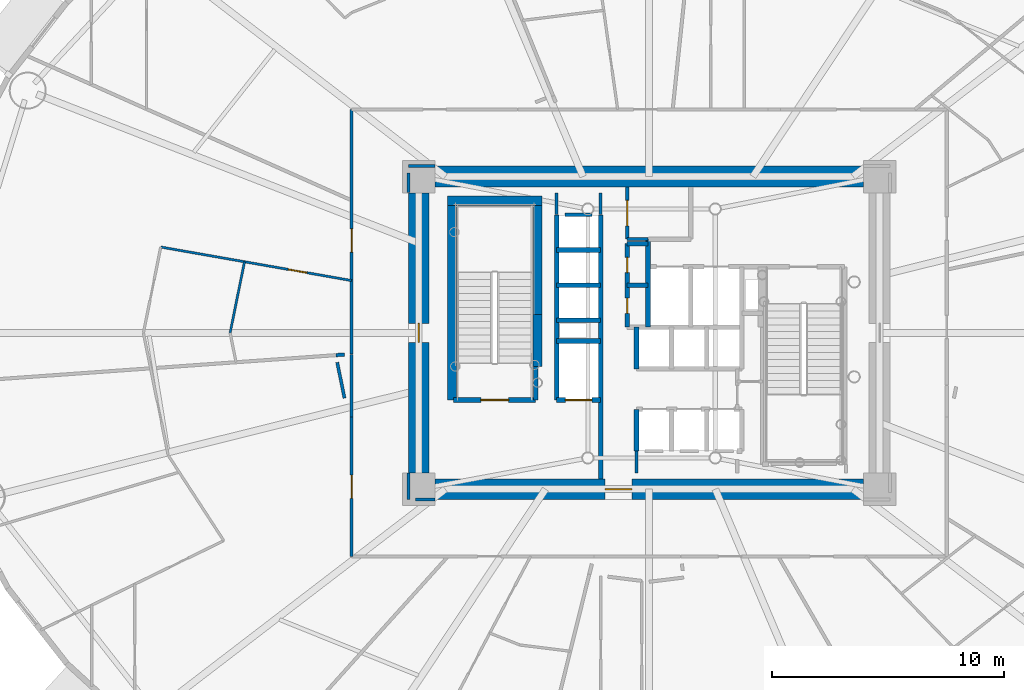
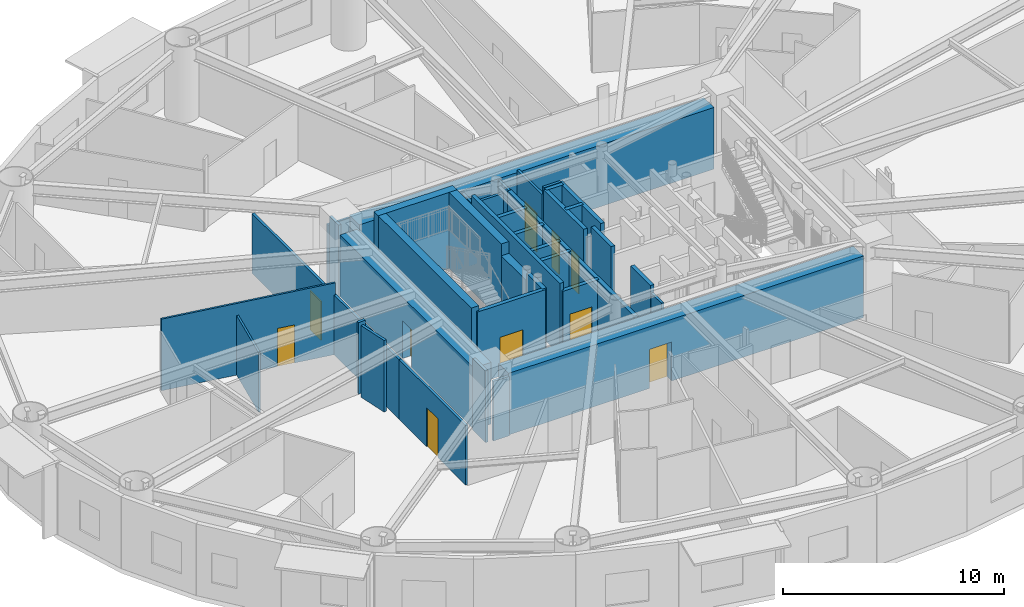
# One storey, part 8 of 20: 39 walls, 10 doors, 10 openings.
"""IFC4 building model written with IfcOpenShell, lengths in metres."""

from ifc_helpers import new_model, si_unit, direction, frame, frame_2d, origin, origin_2d, place, context, subcontext, project, spatial, rectangle, extrude, source, transform, mapped, material, layer, layer_set, type_object, element, fill, save


model = new_model("IFC4")

# Units and contexts
model_context = context("Model", 3, precision=1e-05, world=origin(), true_north=direction((0.0, 1.0)))
body_context = subcontext(model_context, "Body", "Model", "MODEL_VIEW")
ifc_project = project(units=[si_unit("LENGTHUNIT", "METRE"), si_unit("AREAUNIT", "SQUARE_METRE"), si_unit("VOLUMEUNIT", "CUBIC_METRE"), si_unit("PLANEANGLEUNIT", "RADIAN"), si_unit("MASSUNIT", "GRAM", prefix="KILO")], contexts=[model_context])

# Site, building, storey
site_placement = place(None, origin())
site = spatial("IfcSite", under=ifc_project, at=site_placement, CompositionType="ELEMENT")
building_placement = place(site_placement, origin())
building = spatial("IfcBuilding", under=site, at=building_placement, Name="Linh Dai School and Residence Tower", CompositionType="ELEMENT")
storey_placement = place(building_placement, frame((0.0, 0.0, 66.0)))
storey = spatial("IfcBuildingStorey", under=building, at=storey_placement, Name="L15", CompositionType="ELEMENT", Elevation=66.0)

# Wall, opening, door
ifc_material_1 = material(Name="Autoclaved Aerated Concrete Blockwork", Category="masonry")
ifc_layer_1 = layer(ifc_material_1, 0.135009765625)
ifc_layer_set_1 = layer_set([ifc_layer_1], Name="Autoclaved Aerated Concrete Blockwork")
wall_type_1 = type_object("IfcWallType", Name="IW-CORR-135-EI90", PredefinedType="PARTITIONING", material=ifc_layer_set_1)
wall_1_placement = place(storey_placement, frame((23.14990234375, 17.35009765625, 0.0), z_axis=(0.0, 0.0, 1.0), x_axis=(0.0, 1.0, 0.0)))
wall_1 = element("IfcWall", 1, at=wall_1_placement, inside=storey, type_object=wall_type_1, Name="L15 Interior Partition Wall 019", PredefinedType="PARTITIONING", context=body_context, shape_type="SweptSolid", body=[
    extrude(rectangle(XDim=6.011474609375, YDim=0.135009765625, at=frame_2d((3.005859375, 0.0))), origin(), (0.0, 0.0, 1.0), 3.284912109375),
])
opening_1_placement = place(wall_1_placement, frame((2.505859375, 0.0, 0.0)))
opening_1 = element("IfcOpeningElement", 2, at=opening_1_placement, cuts=wall_1, Name="Opening D03", PredefinedType="OPENING", context=body_context, shape_type="SweptSolid", body=[
    extrude(rectangle(XDim=1.0, YDim=2.14990234375, at=origin_2d()), frame((0.5, 0.07763671875, 1.074951171875), z_axis=(0.0, -1.0, 0.0), x_axis=(1.0, 0.0, 0.0)), (0.0, 0.0, 1.0), 0.155029296875),
])
ifc_material_2 = material(Name="Fire-Rated Solid Timber Entrance Door", Category="wood")
door_type_1 = type_object("IfcDoorType", Name="DR-FLAT-1000x2150-FD60S", OperationType="NOTDEFINED", PredefinedType="DOOR", material=ifc_material_2)
shared_shape_1 = source(origin(), body_context, "Body", "SweptSolid", [
    extrude(rectangle(XDim=1.0, YDim=2.14990234375, at=origin_2d()), frame((0.5, 0.02490234375, 1.074951171875), z_axis=(0.0, -1.0, 0.0), x_axis=(1.0, 0.0, 0.0)), (0.0, 0.0, 1.0), 0.050048828125),
])
door_1_placement = place(opening_1_placement, origin())
door_1 = element("IfcDoor", 3, at=door_1_placement, inside=storey, type_object=door_type_1, Name="L15 U1506 Apartment Entrance Door", OperationType="SINGLE_SWING_RIGHT", OverallHeight=2.14990234375, OverallWidth=1.0, PredefinedType="DOOR", context=body_context, shape_type="MappedRepresentation", body=[
    mapped(shared_shape_1, transform((0.0, 0.0, 0.0), x_axis=(1.0, 0.0, 0.0), y_axis=(0.0, 1.0, 0.0), z_axis=(0.0, 0.0, 1.0), scale=1.0)),
])
fill(opening_1, door_1)

wall_2_placement = place(storey_placement, frame((23.14990234375, 26.086181640625, 0.0), z_axis=(0.0, 0.0, 1.0), x_axis=(0.0, 1.0, 0.0)))
wall_2 = element("IfcWall", 4, at=wall_2_placement, inside=storey, type_object=wall_type_1, Name="L15 Interior Partition Wall 021", PredefinedType="PARTITIONING", context=body_context, shape_type="SweptSolid", body=[
    extrude(rectangle(XDim=10.563720703125, YDim=0.135009765625, at=frame_2d((5.28173828125, 0.0))), origin(), (0.0, 0.0, 1.0), 3.284912109375),
])
opening_2_placement = place(wall_2_placement, frame((4.4033203125, 0.0, 0.0)))
opening_2 = element("IfcOpeningElement", 5, at=opening_2_placement, cuts=wall_2, Name="Opening D03", PredefinedType="OPENING", context=body_context, shape_type="SweptSolid", body=[
    extrude(rectangle(XDim=1.0, YDim=2.14990234375, at=origin_2d()), frame((0.5, 0.07763671875, 1.074951171875), z_axis=(0.0, -1.0, 0.0), x_axis=(1.0, 0.0, 0.0)), (0.0, 0.0, 1.0), 0.155029296875),
])
door_2_placement = place(opening_2_placement, origin())
door_2 = element("IfcDoor", 6, at=door_2_placement, inside=storey, type_object=door_type_1, Name="L15 U1505 Apartment Entrance Door", OperationType="SINGLE_SWING_LEFT", OverallHeight=2.14990234375, OverallWidth=1.0, PredefinedType="DOOR", context=body_context, shape_type="MappedRepresentation", body=[
    mapped(shared_shape_1, transform((0.0, 0.0, 0.0), x_axis=(1.0, 0.0, 0.0), y_axis=(0.0, 1.0, 0.0), z_axis=(0.0, 0.0, 1.0), scale=1.0)),
])
fill(opening_2, door_2)

wall_3_placement = place(storey_placement, frame((35.050048828125, 31.050048828125, 0.0), z_axis=(0.0, 0.0, 1.0), x_axis=(0.0, 1.0, 0.0)))
wall_3 = element("IfcWall", 7, at=wall_3_placement, inside=storey, type_object=wall_type_1, Name="L15 Interior Partition Wall 050", PredefinedType="PARTITIONING", context=body_context, shape_type="SweptSolid", body=[
    extrude(rectangle(XDim=2.25, YDim=0.135009765625, at=frame_2d((1.125, 0.0))), origin(), (0.0, 0.0, 1.0), 3.534912109375),
])
opening_3_placement = place(wall_3_placement, frame((0.574951171875, 0.0, 0.0)))
opening_3 = element("IfcOpeningElement", 8, at=opening_3_placement, cuts=wall_3, Name="Opening D07", PredefinedType="OPENING", context=body_context, shape_type="SweptSolid", body=[
    extrude(rectangle(XDim=1.10009765625, YDim=2.14990234375, at=origin_2d()), frame((0.550048828125, 0.07763671875, 1.074951171875), z_axis=(0.0, -1.0, 0.0), x_axis=(1.0, 0.0, 0.0)), (0.0, 0.0, 1.0), 0.155029296875),
])
ifc_material_3 = material(Name="Fire-Rated Louvred Steel Plant Door", Category="steel")
door_type_2 = type_object("IfcDoorType", Name="DR-PLT-1100x2150-FD60S", OperationType="NOTDEFINED", PredefinedType="DOOR", material=ifc_material_3)
shared_shape_2 = source(origin(), body_context, "Body", "SweptSolid", [
    extrude(rectangle(XDim=1.10009765625, YDim=2.14990234375, at=origin_2d()), frame((0.550048828125, 0.02490234375, 1.074951171875), z_axis=(0.0, -1.0, 0.0), x_axis=(1.0, 0.0, 0.0)), (0.0, 0.0, 1.0), 0.050048828125),
])
door_3_placement = place(opening_3_placement, origin())
door_3 = element("IfcDoor", 9, at=door_3_placement, inside=storey, type_object=door_type_2, Name="L15 North Telecom Switchroom Door", OperationType="SINGLE_SWING_RIGHT", OverallHeight=2.14990234375, OverallWidth=1.10009765625, PredefinedType="DOOR", context=body_context, shape_type="MappedRepresentation", body=[
    mapped(shared_shape_2, transform((0.0, 0.0, 0.0), x_axis=(1.0, 0.0, 0.0), y_axis=(0.0, 1.0, 0.0), z_axis=(0.0, 0.0, 1.0), scale=1.0)),
])
fill(opening_3, door_3)

# Walls
wall_4_placement = place(storey_placement, frame((35.050048828125, 31.050048828125, 0.0), z_axis=(0.0, 0.0, 1.0), x_axis=(1.0, 0.0, 0.0)))
element("IfcWall", 10, at=wall_4_placement, inside=storey, type_object=wall_type_1, Name="L15 Interior Partition Wall 051", PredefinedType="PARTITIONING", context=body_context, shape_type="SweptSolid", body=[
    extrude(rectangle(XDim=0.89990234375, YDim=0.135009765625, at=frame_2d((0.449951171875, 0.0))), origin(), (0.0, 0.0, 1.0), 3.949951171875),
])
wall_5_placement = place(storey_placement, frame((32.360107421875, 32.10009765625, 0.0), z_axis=(0.0, 0.0, 1.0), x_axis=(1.0, 0.0, 0.0)))
element("IfcWall", 11, at=wall_5_placement, inside=storey, type_object=wall_type_1, Name="L15 Interior Partition Wall 110", PredefinedType="PARTITIONING", context=body_context, shape_type="SweptSolid", body=[
    extrude(rectangle(XDim=1.179931640625, YDim=0.135009765625, at=frame_2d((0.58984375, 0.0))), origin(), (0.0, 0.0, 1.0), 3.534912109375),
])
wall_6_placement = place(storey_placement, frame((32.0, 33.0400390625, 0.0), z_axis=(0.0, 0.0, 1.0), x_axis=(0.0, -1.0, 0.0)))
element("IfcWall", 12, at=wall_6_placement, inside=storey, type_object=wall_type_1, Name="L15 Interior Partition Wall 112", PredefinedType="PARTITIONING", context=body_context, shape_type="SweptSolid", body=[
    extrude(rectangle(XDim=0.929931640625, YDim=0.135009765625, at=frame_2d((0.46484375, 0.0))), origin(), (0.0, 0.0, 1.0), 3.485107421875),
])
for number, where, z_axis, x_axis, name in (
    (13, (35.449951171875, 21.889892578125, 0.0), (0.0, 0.0, 1.0), (0.0, -1.0, 0.0), "L15 Interior Partition Wall 114"),
    (14, (33.89990234375, 32.110107421875, 0.0), (0.0, 0.0, 1.0), (0.0, 1.0, 0.0), "L15 Interior Partition Wall 115"),
):
    element("IfcWall", number, at=place(storey_placement, frame(where, z_axis=z_axis, x_axis=x_axis)), inside=storey, type_object=wall_type_1, Name=name, PredefinedType="PARTITIONING", context=body_context, shape_type="SweptSolid", body=[
        extrude(rectangle(XDim=0.929931640625, YDim=0.135009765625, at=frame_2d((0.46484375, 0.0))), origin(), (0.0, 0.0, 1.0), 3.534912109375),
    ])
wall_7_placement = place(storey_placement, frame((23.14990234375, 23.37158203125, 0.0), z_axis=(0.0, 0.0, 1.0), x_axis=(0.0, 1.0, 0.0)))
element("IfcWall", 15, at=wall_7_placement, inside=storey, type_object=wall_type_1, Name="L15 Interior Partition Wall 120", PredefinedType="PARTITIONING", context=body_context, shape_type="SweptSolid", body=[
    extrude(rectangle(XDim=2.70458984375, YDim=0.135009765625, at=frame_2d((1.352294921875, 0.0))), origin(), (0.0, 0.0, 1.0), 3.284912109375),
])
wall_8_placement = place(storey_placement, frame((26.739990234375, 34.199951171875, 0.0), z_axis=(0.0, 0.0, 1.0), x_axis=(-1.0, 0.0, 0.0)))
element("IfcWall", 16, at=wall_8_placement, inside=storey, type_object=wall_type_1, Name="L15 Interior Partition Wall 122", PredefinedType="PARTITIONING", context=body_context, shape_type="SweptSolid", body=[
    extrude(rectangle(XDim=1.139892578125, YDim=0.135009765625, at=frame_2d((0.56982421875, 0.0))), origin(), (0.0, 0.0, 1.0), 3.284912109375),
])
wall_9_placement = place(storey_placement, frame((25.60009765625, 33.892578125, 0.0), z_axis=(0.0, 0.0, 1.0), x_axis=(0.0, -1.0, 0.0)))
element("IfcWall", 17, at=wall_9_placement, inside=storey, type_object=wall_type_1, Name="L15 Interior Partition Wall 123", PredefinedType="PARTITIONING", context=body_context, shape_type="SweptSolid", body=[
    extrude(rectangle(XDim=0.83251953125, YDim=0.135009765625, at=frame_2d((0.416259765625, 0.0))), origin(), (0.0, 0.0, 1.0), 3.949951171875),
])
wall_10_placement = place(storey_placement, frame((25.60009765625, 20.93994140625, 0.0), z_axis=(0.0, 0.0, 1.0), x_axis=(0.0, -1.0, 0.0)))
element("IfcWall", 18, at=wall_10_placement, inside=storey, type_object=wall_type_1, Name="L15 Interior Partition Wall 124", PredefinedType="PARTITIONING", context=body_context, shape_type="SweptSolid", body=[
    extrude(rectangle(XDim=1.139892578125, YDim=0.135009765625, at=frame_2d((0.56982421875, 0.0))), origin(), (0.0, 0.0, 1.0), 3.949951171875),
])
wall_11_placement = place(storey_placement, frame((25.907470703125, 19.800048828125, 0.0), z_axis=(0.0, 0.0, 1.0), x_axis=(1.0, 0.0, 0.0)))
element("IfcWall", 19, at=wall_11_placement, inside=storey, type_object=wall_type_1, Name="L15 Interior Partition Wall 125", PredefinedType="PARTITIONING", context=body_context, shape_type="SweptSolid", body=[
    extrude(rectangle(XDim=0.83251953125, YDim=0.135009765625, at=frame_2d((0.416259765625, 0.0))), origin(), (0.0, 0.0, 1.0), 3.284912109375),
])
wall_12_placement = place(storey_placement, frame((22.529541015625, 25.726318359375, 0.0), z_axis=(0.0, 0.0, 1.0), x_axis=(0.198347121698, -0.980131837721, 0.0)))
element("IfcWall", 20, at=wall_12_placement, inside=storey, type_object=wall_type_1, Name="L15 Interior Partition Wall 132", PredefinedType="PARTITIONING", context=body_context, shape_type="SweptSolid", body=[
    extrude(rectangle(XDim=1.577880859375, YDim=0.135009765625, at=frame_2d((0.7890625, 0.0))), origin(), (0.0, 0.0, 1.0), 3.949951171875),
])
ifc_layer_2 = layer(ifc_material_1, 0.14990234375)
ifc_layer_set_2 = layer_set([ifc_layer_2], Name="Autoclaved Aerated Concrete Blockwork")
wall_type_2 = type_object("IfcWallType", Name="IW-SCH-150-EI60", PredefinedType="PARTITIONING", material=ifc_layer_set_2)
wall_13_placement = place(storey_placement, frame((22.842529296875, 26.064208984375, 0.0), z_axis=(0.0, 0.0, 1.0), x_axis=(-0.997509116352, -0.070537669335, 0.0)))
element("IfcWall", 21, at=wall_13_placement, inside=storey, type_object=wall_type_2, Name="L15 Interior Partition Wall 131", PredefinedType="PARTITIONING", context=body_context, shape_type="SweptSolid", body=[
    extrude(rectangle(XDim=0.366943359375, YDim=0.14990234375, at=frame_2d((0.18359375, 0.0))), origin(), (0.0, 0.0, 1.0), 3.949951171875),
])

# Wall, opening, door
ifc_material_4 = material(Name="Concrete B45 (C35/45)", Category="concrete")
ifc_layer_3 = layer(ifc_material_4, 0.199951171875)
ifc_layer_set_3 = layer_set([ifc_layer_3], Name="Concrete B45 (C35/45)")
wall_type_3 = type_object("IfcWallType", Name="IW-SHAFT-200-EI120", PredefinedType="PARTITIONING", material=ifc_layer_set_3)
wall_14_placement = place(storey_placement, frame((27.56005859375, 24.10009765625, 0.0), z_axis=(0.0, 0.0, 1.0), x_axis=(1.0, 0.0, 0.0)))
wall_14 = element("IfcWall", 22, at=wall_14_placement, inside=storey, type_object=wall_type_3, Name="L15 Interior Partition Wall 025", PredefinedType="PARTITIONING", context=body_context, shape_type="SweptSolid", body=[
    extrude(rectangle(XDim=3.5400390625, YDim=0.199951171875, at=frame_2d((1.77001953125, 0.0))), origin(), (0.0, 0.0, 1.0), 3.949951171875),
])
opening_4_placement = place(wall_14_placement, frame((1.169921875, 0.0, 0.0)))
opening_4 = element("IfcOpeningElement", 23, at=opening_4_placement, cuts=wall_14, Name="Opening D01", PredefinedType="OPENING", context=body_context, shape_type="SweptSolid", body=[
    extrude(rectangle(XDim=1.199951171875, YDim=2.14990234375, at=origin_2d()), frame((0.60009765625, 0.10986328125, 1.074951171875), z_axis=(0.0, -1.0, 0.0), x_axis=(1.0, 0.0, 0.0)), (0.0, 0.0, 1.0), 0.219970703125),
])
ifc_material_5 = material(Name="Fire-Rated Steel Door Leaf", Category="steel")
door_type_3 = type_object("IfcDoorType", Name="DR-STAIR-1200x2150-FD90S", OperationType="NOTDEFINED", PredefinedType="DOOR", material=ifc_material_5)
shared_shape_3 = source(origin(), body_context, "Body", "SweptSolid", [
    extrude(rectangle(XDim=1.199951171875, YDim=2.14990234375, at=origin_2d()), frame((0.60009765625, 0.02490234375, 1.074951171875), z_axis=(0.0, -1.0, 0.0), x_axis=(1.0, 0.0, 0.0)), (0.0, 0.0, 1.0), 0.050048828125),
])
door_4_placement = place(opening_4_placement, origin())
door_4 = element("IfcDoor", 24, at=door_4_placement, inside=storey, type_object=door_type_3, Name="L15 Core Smokeproof Exit Stair ST1 Door", OperationType="SINGLE_SWING_LEFT", OverallHeight=2.14990234375, OverallWidth=1.199951171875, PredefinedType="DOOR", context=body_context, shape_type="MappedRepresentation", body=[
    mapped(shared_shape_3, transform((0.0, 0.0, 0.0), x_axis=(1.0, 0.0, 0.0), y_axis=(0.0, 1.0, 0.0), z_axis=(0.0, 0.0, 1.0), scale=1.0)),
])
fill(opening_4, door_4)

# Walls
wall_15_placement = place(storey_placement, frame((31.10009765625, 24.10009765625, 0.0), z_axis=(0.0, 0.0, 1.0), x_axis=(0.0, 1.0, 0.0)))
element("IfcWall", 25, at=wall_15_placement, inside=storey, type_object=wall_type_3, Name="L15 Interior Partition Wall 035", PredefinedType="PARTITIONING", context=body_context, shape_type="SweptSolid", body=[
    extrude(rectangle(XDim=1.43994140625, YDim=0.199951171875, at=frame_2d((0.719970703125, 0.0))), origin(), (0.0, 0.0, 1.0), 3.949951171875),
])
wall_16_placement = place(storey_placement, frame((32.0, 24.10009765625, 0.0), z_axis=(0.0, 0.0, 1.0), x_axis=(0.0, 1.0, 0.0)))
element("IfcWall", 26, at=wall_16_placement, inside=storey, type_object=wall_type_3, Name="L15 Interior Partition Wall 036", PredefinedType="PARTITIONING", context=body_context, shape_type="SweptSolid", body=[
    extrude(rectangle(XDim=8.0, YDim=0.199951171875, at=frame_2d((4.0, 0.0))), origin(), (0.0, 0.0, 1.0), 3.949951171875),
])

# Wall, opening, door
wall_17_placement = place(storey_placement, frame((32.0, 24.10009765625, 0.0), z_axis=(0.0, 0.0, 1.0), x_axis=(1.0, 0.0, 0.0)))
wall_17 = element("IfcWall", 27, at=wall_17_placement, inside=storey, type_object=wall_type_3, Name="L15 Interior Partition Wall 037", PredefinedType="PARTITIONING", context=body_context, shape_type="SweptSolid", body=[
    extrude(rectangle(XDim=1.89990234375, YDim=0.199951171875, at=frame_2d((0.949951171875, 0.0))), origin(), (0.0, 0.0, 1.0), 3.534912109375),
])
opening_5_placement = place(wall_17_placement, frame((0.375, 0.0, 0.0)))
opening_5 = element("IfcOpeningElement", 28, at=opening_5_placement, cuts=wall_17, Name="Opening LD-FF2", PredefinedType="OPENING", context=body_context, shape_type="SweptSolid", body=[
    extrude(rectangle(XDim=1.14990234375, YDim=2.14990234375, at=origin_2d()), frame((0.574951171875, 0.10986328125, 1.074951171875), z_axis=(0.0, -1.0, 0.0), x_axis=(1.0, 0.0, 0.0)), (0.0, 0.0, 1.0), 0.219970703125),
])
ifc_material_6 = material(Name="Fire-Rated Stainless Steel Firefighting Lift Door", Category="steel")
door_type_4 = type_object("IfcDoorType", Name="DR-LD-FF-1150x2150-FD120", OperationType="DOUBLE_DOOR_SLIDING", PredefinedType="USERDEFINED", material=ifc_material_6)
shared_shape_4 = source(origin(), body_context, "Body", "SweptSolid", [
    extrude(rectangle(XDim=1.14990234375, YDim=2.14990234375, at=origin_2d()), frame((0.574951171875, 0.02490234375, 1.074951171875), z_axis=(0.0, -1.0, 0.0), x_axis=(1.0, 0.0, 0.0)), (0.0, 0.0, 1.0), 0.050048828125),
])
door_5_placement = place(opening_5_placement, origin())
door_5 = element("IfcDoor", 29, at=door_5_placement, inside=storey, type_object=door_type_4, Name="L15 Lift FF2 Sliding Landing Door", ObjectType="LANDING DOOR", OperationType="DOUBLE_DOOR_SLIDING", OverallHeight=2.14990234375, OverallWidth=1.14990234375, PredefinedType="USERDEFINED", context=body_context, shape_type="MappedRepresentation", body=[
    mapped(shared_shape_4, transform((0.0, 0.0, 0.0), x_axis=(1.0, 0.0, 0.0), y_axis=(0.0, 1.0, 0.0), z_axis=(0.0, 0.0, 1.0), scale=1.0)),
])
fill(opening_5, door_5)

# Walls
for number, where, z_axis, x_axis, name in (
    (30, (32.0, 26.64990234375, 0.0), (0.0, 0.0, 1.0), (1.0, 0.0, 0.0), "L15 Interior Partition Wall 038"),
    (31, (32.0, 27.550048828125, 0.0), (0.0, 0.0, 1.0), (1.0, 0.0, 0.0), "L15 Interior Partition Wall 039"),
    (32, (32.0, 29.06005859375, 0.0), (0.0, 0.0, 1.0), (1.0, 0.0, 0.0), "L15 Interior Partition Wall 040"),
    (33, (32.0, 30.580078125, 0.0), (0.0, 0.0, 1.0), (1.0, 0.0, 0.0), "L15 Interior Partition Wall 041"),
):
    element("IfcWall", number, at=place(storey_placement, frame(where, z_axis=z_axis, x_axis=x_axis)), inside=storey, type_object=wall_type_3, Name=name, PredefinedType="PARTITIONING", context=body_context, shape_type="SweptSolid", body=[
        extrude(rectangle(XDim=1.89990234375, YDim=0.199951171875, at=frame_2d((0.949951171875, 0.0))), origin(), (0.0, 0.0, 1.0), 3.534912109375),
    ])
wall_18_placement = place(storey_placement, frame((33.89990234375, 20.699951171875, 0.0), z_axis=(0.0, 0.0, 1.0), x_axis=(0.0, 1.0, 0.0)))
element("IfcWall", 34, at=wall_18_placement, inside=storey, type_object=wall_type_3, Name="L15 Interior Partition Wall 044", PredefinedType="PARTITIONING", context=body_context, shape_type="SweptSolid", body=[
    extrude(rectangle(XDim=11.400146484375, YDim=0.199951171875, at=frame_2d((5.7001953125, 0.0))), origin(), (0.0, 0.0, 1.0), 3.534912109375),
])

# Wall, openings, doors
wall_19_placement = place(storey_placement, frame((35.050048828125, 27.25, 0.0), z_axis=(0.0, 0.0, 1.0), x_axis=(0.0, 1.0, 0.0)))
wall_19 = element("IfcWall", 35, at=wall_19_placement, inside=storey, type_object=wall_type_3, Name="L15 Interior Partition Wall 046", PredefinedType="PARTITIONING", context=body_context, shape_type="SweptSolid", body=[
    extrude(rectangle(XDim=3.60009765625, YDim=0.199951171875, at=frame_2d((1.800048828125, 0.0))), origin(), (0.0, 0.0, 1.0), 3.949951171875),
])
opening_6_placement = place(wall_19_placement, frame((0.590087890625, 0.0, 0.0)))
opening_6 = element("IfcOpeningElement", 36, at=opening_6_placement, cuts=wall_19, Name="Opening AD1", PredefinedType="OPENING", context=body_context, shape_type="SweptSolid", body=[
    extrude(rectangle(XDim=0.659912109375, YDim=2.050048828125, at=origin_2d()), frame((0.330078125, 0.10986328125, 1.02490234375), z_axis=(0.0, -1.0, 0.0), x_axis=(1.0, 0.0, 0.0)), (0.0, 0.0, 1.0), 0.219970703125),
])
opening_7_placement = place(wall_19_placement, frame((2.35009765625, 0.0, 0.0)))
opening_7 = element("IfcOpeningElement", 37, at=opening_7_placement, cuts=wall_19, Name="Opening AD1", PredefinedType="OPENING", context=body_context, shape_type="SweptSolid", body=[
    extrude(rectangle(XDim=0.659912109375, YDim=2.050048828125, at=origin_2d()), frame((0.330078125, 0.10986328125, 1.02490234375), z_axis=(0.0, -1.0, 0.0), x_axis=(1.0, 0.0, 0.0)), (0.0, 0.0, 1.0), 0.219970703125),
])
ifc_material_7 = material(Name="Fire-Rated Steel Riser Access Door", Category="steel")
door_type_5 = type_object("IfcDoorType", Name="DR-ACC-660x2050-FD90S", OperationType="NOTDEFINED", PredefinedType="USERDEFINED", material=ifc_material_7)
shared_shape_5 = source(origin(), body_context, "Body", "SweptSolid", [
    extrude(rectangle(XDim=0.659912109375, YDim=2.050048828125, at=origin_2d()), frame((0.330078125, 0.02490234375, 1.02490234375), z_axis=(0.0, -1.0, 0.0), x_axis=(1.0, 0.0, 0.0)), (0.0, 0.0, 1.0), 0.050048828125),
])
door_6_placement = place(opening_6_placement, origin())
door_6 = element("IfcDoor", 38, at=door_6_placement, inside=storey, type_object=door_type_5, Name="L15 Telecom and Data Riser Access Door", ObjectType="ACCESS DOOR", OperationType="SINGLE_SWING_RIGHT", OverallHeight=2.050048828125, OverallWidth=0.659912109375, PredefinedType="USERDEFINED", context=body_context, shape_type="MappedRepresentation", body=[
    mapped(shared_shape_5, transform((0.0, 0.0, 0.0), x_axis=(1.0, 0.0, 0.0), y_axis=(0.0, 1.0, 0.0), z_axis=(0.0, 0.0, 1.0), scale=1.0)),
])
fill(opening_6, door_6)
door_7_placement = place(opening_7_placement, origin())
door_7 = element("IfcDoor", 39, at=door_7_placement, inside=storey, type_object=door_type_5, Name="L15 Mechanical and Plumbing Riser Access Door", ObjectType="ACCESS DOOR", OperationType="SINGLE_SWING_LEFT", OverallHeight=2.050048828125, OverallWidth=0.659912109375, PredefinedType="USERDEFINED", context=body_context, shape_type="MappedRepresentation", body=[
    mapped(shared_shape_5, transform((0.0, 0.0, 0.0), x_axis=(1.0, 0.0, 0.0), y_axis=(0.0, 1.0, 0.0), z_axis=(0.0, 0.0, 1.0), scale=1.0)),
])
fill(opening_7, door_7)

# Walls
for number, where, z_axis, x_axis, name in (
    (40, (35.050048828125, 29.050048828125, 0.0), (0.0, 0.0, 1.0), (1.0, 0.0, 0.0), "L15 Interior Partition Wall 048"),
    (41, (35.050048828125, 30.85009765625, 0.0), (0.0, 0.0, 1.0), (1.0, 0.0, 0.0), "L15 Interior Partition Wall 049"),
):
    element("IfcWall", number, at=place(storey_placement, frame(where, z_axis=z_axis, x_axis=x_axis)), inside=storey, type_object=wall_type_3, Name=name, PredefinedType="PARTITIONING", context=body_context, shape_type="SweptSolid", body=[
        extrude(rectangle(XDim=0.89990234375, YDim=0.199951171875, at=frame_2d((0.449951171875, 0.0))), origin(), (0.0, 0.0, 1.0), 3.949951171875),
    ])
for number, where, z_axis, x_axis, name in (
    (42, (35.449951171875, 21.89990234375, 0.0), (0.0, 0.0, 1.0), (0.0, 1.0, 0.0), "L15 Interior Partition Wall 052"),
    (43, (35.449951171875, 25.449951171875, 0.0), (0.0, 0.0, 1.0), (0.0, 1.0, 0.0), "L15 Interior Partition Wall 054"),
):
    element("IfcWall", number, at=place(storey_placement, frame(where, z_axis=z_axis, x_axis=x_axis)), inside=storey, type_object=wall_type_3, Name=name, PredefinedType="PARTITIONING", context=body_context, shape_type="SweptSolid", body=[
        extrude(rectangle(XDim=1.800048828125, YDim=0.199951171875, at=frame_2d((0.89990234375, 0.0))), origin(), (0.0, 0.0, 1.0), 3.949951171875),
    ])
wall_20_placement = place(storey_placement, frame((35.949951171875, 27.25, 0.0), z_axis=(0.0, 0.0, 1.0), x_axis=(0.0, 1.0, 0.0)))
element("IfcWall", 44, at=wall_20_placement, inside=storey, type_object=wall_type_3, Name="L15 Interior Partition Wall 057", PredefinedType="PARTITIONING", context=body_context, shape_type="SweptSolid", body=[
    extrude(rectangle(XDim=3.800048828125, YDim=0.199951171875, at=frame_2d((1.89990234375, 0.0))), origin(), (0.0, 0.0, 1.0), 3.949951171875),
])

# Wall, opening, door
ifc_material_8 = material(Name="Gypsum Plasterboard Acoustic Stud Partition", Category="masonry")
ifc_layer_4 = layer(ifc_material_8, 0.10009765625)
ifc_layer_set_4 = layer_set([ifc_layer_4], Name="Gypsum Plasterboard Acoustic Stud Partition")
wall_type_4 = type_object("IfcWallType", Name="IW-UNIT-100", PredefinedType="PARTITIONING", material=ifc_layer_set_4)
wall_21_placement = place(storey_placement, frame((14.90966796875, 30.7060546875, 0.0), z_axis=(0.0, 0.0, 1.0), x_axis=(0.984910199579, -0.173066168747, 0.0)))
wall_21 = element("IfcWall", 45, at=wall_21_placement, inside=storey, type_object=wall_type_4, Name="L15 Interior Partition Wall 011", PredefinedType="PARTITIONING", context=body_context, shape_type="SweptSolid", body=[
    extrude(rectangle(XDim=8.36669921875, YDim=0.10009765625, at=frame_2d((4.183349609375, 0.0))), origin(), (0.0, 0.0, 1.0), 3.949951171875),
])
opening_8_placement = place(wall_21_placement, frame((5.5888671875, 0.0, 0.0)))
opening_8 = element("IfcOpeningElement", 46, at=opening_8_placement, cuts=wall_21, Name="Opening D06", PredefinedType="OPENING", context=body_context, shape_type="SweptSolid", body=[
    extrude(rectangle(XDim=0.820068359375, YDim=2.10009765625, at=origin_2d()), frame((0.41015625, 0.06005859375, 1.050048828125), z_axis=(0.0, -1.0, 0.0), x_axis=(1.0, 0.0, 0.0)), (0.0, 0.0, 1.0), 0.1201171875),
])
ifc_material_9 = material(Name="Moisture-Resistant Timber Bathroom Door", Category="wood")
door_type_6 = type_object("IfcDoorType", Name="DR-WET-820x2100", OperationType="NOTDEFINED", PredefinedType="DOOR", material=ifc_material_9)
shared_shape_6 = source(origin(), body_context, "Body", "SweptSolid", [
    extrude(rectangle(XDim=0.820068359375, YDim=2.10009765625, at=origin_2d()), frame((0.41015625, 0.02490234375, 1.050048828125), z_axis=(0.0, -1.0, 0.0), x_axis=(1.0, 0.0, 0.0)), (0.0, 0.0, 1.0), 0.050048828125),
])
door_8_placement = place(opening_8_placement, origin())
door_8 = element("IfcDoor", 47, at=door_8_placement, inside=storey, type_object=door_type_6, Name="L15 Apartment U1505 Bathroom Door", OperationType="SINGLE_SWING_RIGHT", OverallHeight=2.10009765625, OverallWidth=0.820068359375, PredefinedType="DOOR", context=body_context, shape_type="MappedRepresentation", body=[
    mapped(shared_shape_6, transform((0.0, 0.0, 0.0), x_axis=(1.0, 0.0, 0.0), y_axis=(0.0, 1.0, 0.0), z_axis=(0.0, 0.0, 1.0), scale=1.0)),
])
fill(opening_8, door_8)

# Walls
wall_22_placement = place(storey_placement, frame((17.904052734375, 27.0, 0.0), z_axis=(0.0, 0.0, 1.0), x_axis=(0.198258794433, 0.980149708172, 0.0)))
element("IfcWall", 48, at=wall_22_placement, inside=storey, type_object=wall_type_4, Name="L15 Interior Partition Wall 015", PredefinedType="PARTITIONING", context=body_context, shape_type="SweptSolid", body=[
    extrude(rectangle(XDim=3.1328125, YDim=0.10009765625, at=frame_2d((1.56640625, 0.0))), origin(), (0.0, 0.0, 1.0), 3.284912109375),
])
ifc_layer_5 = layer(ifc_material_4, 0.39990234375)
ifc_layer_set_5 = layer_set([ifc_layer_5], Name="Concrete B45 (C35/45)")
wall_type_5 = type_object("IfcWallType", Name="WL-CORE400", PredefinedType="SHEAR", material=ifc_layer_set_5)
wall_23_placement = place(storey_placement, frame((27.47998046875, 24.10009765625, 0.0), z_axis=(0.0, 0.0, 1.0), x_axis=(0.0, 1.0, 0.0)))
element("IfcWall", 49, at=wall_23_placement, inside=storey, type_object=wall_type_5, Name="L15 Core Stair ST1 Bearing Wall W", PredefinedType="SHEAR", context=body_context, shape_type="SweptSolid", body=[
    extrude(rectangle(XDim=8.599853515625, YDim=0.39990234375, at=frame_2d((4.2998046875, 0.0))), origin(), (0.0, 0.0, 1.0), 4.199951171875),
])
wall_24_placement = place(storey_placement, frame((31.179931640625, 27.800048828125, 0.0), z_axis=(0.0, 0.0, 1.0), x_axis=(0.0, 1.0, 0.0)))
element("IfcWall", 50, at=wall_24_placement, inside=storey, type_object=wall_type_5, Name="L15 Core Stair ST1 Bearing Wall E", PredefinedType="SHEAR", context=body_context, shape_type="SweptSolid", body=[
    extrude(rectangle(XDim=4.89990234375, YDim=0.39990234375, at=frame_2d((2.449951171875, 0.0))), origin(), (0.0, 0.0, 1.0), 4.199951171875),
])
wall_25_placement = place(storey_placement, frame((27.280029296875, 32.699951171875, 0.0), z_axis=(0.0, 0.0, 1.0), x_axis=(1.0, 0.0, 0.0)))
element("IfcWall", 51, at=wall_25_placement, inside=storey, type_object=wall_type_5, Name="L15 Core Stair ST1 Bearing Wall N", PredefinedType="SHEAR", context=body_context, shape_type="SweptSolid", body=[
    extrude(rectangle(XDim=4.099853515625, YDim=0.39990234375, at=frame_2d((2.0498046875, 0.0))), origin(), (0.0, 0.0, 1.0), 4.199951171875),
])
wall_26_placement = place(storey_placement, frame((31.179931640625, 25.550048828125, 0.0), z_axis=(0.0, 0.0, 1.0), x_axis=(0.0, 1.0, 0.0)))
element("IfcWall", 52, at=wall_26_placement, inside=storey, type_object=wall_type_5, Name="L15 Internal Core Shear Wall IW", PredefinedType="SHEAR", context=body_context, shape_type="SweptSolid", body=[
    extrude(rectangle(XDim=2.25, YDim=0.39990234375, at=frame_2d((1.125, 0.0))), origin(), (0.0, 0.0, 1.0), 3.550048828125),
])
ifc_material_10 = material(Name="Concrete B60 (C50/60)", Category="concrete")
ifc_layer_6 = layer(ifc_material_10, 0.89990234375)
ifc_layer_set_6 = layer_set([ifc_layer_6], Name="Concrete B60 (C50/60)")
wall_type_6 = type_object("IfcWallType", Name="WL-CORE900", PredefinedType="SHEAR", material=ifc_layer_set_6)
wall_27_placement = place(storey_placement, frame((26.75, 33.75, 0.0), z_axis=(0.0, 0.0, 1.0), x_axis=(1.0, 0.0, 0.0)))
element("IfcWall", 53, at=wall_27_placement, inside=storey, type_object=wall_type_6, Name="L15 Central Core Shear Wall N", PredefinedType="SHEAR", context=body_context, shape_type="SweptSolid", body=[
    extrude(rectangle(XDim=18.5, YDim=0.89990234375, at=frame_2d((9.25, 0.0))), origin(), (0.0, 0.0, 1.0), 3.39990234375),
])

# Wall, opening, door
wall_28_placement = place(storey_placement, frame((45.25, 20.25, 0.0), z_axis=(0.0, 0.0, 1.0), x_axis=(-1.0, 0.0, 0.0)))
wall_28 = element("IfcWall", 54, at=wall_28_placement, inside=storey, type_object=wall_type_6, Name="L15 Central Core Shear Wall S", PredefinedType="SHEAR", context=body_context, shape_type="SweptSolid", body=[
    extrude(rectangle(XDim=18.5, YDim=0.89990234375, at=frame_2d((9.25, 0.0))), origin(), (0.0, 0.0, 1.0), 3.39990234375),
])
opening_9_placement = place(wall_28_placement, frame((10.0, 0.0, 0.0)))
opening_9 = element("IfcOpeningElement", 55, at=opening_9_placement, cuts=wall_28, Name="Opening D02", PredefinedType="OPENING", context=body_context, shape_type="SweptSolid", body=[
    extrude(rectangle(XDim=1.14990234375, YDim=2.14990234375, at=origin_2d()), frame((0.574951171875, 0.4599609375, 1.074951171875), z_axis=(0.0, -1.0, 0.0), x_axis=(1.0, 0.0, 0.0)), (0.0, 0.0, 1.0), 0.919921875),
])
ifc_material_11 = material(Name="Fire-Rated Glazed Steel Lobby Door", Category="steel")
door_type_7 = type_object("IfcDoorType", Name="DR-LOBBY-1150x2150-FD90S", OperationType="NOTDEFINED", PredefinedType="DOOR", material=ifc_material_11)
shared_shape_7 = source(origin(), body_context, "Body", "SweptSolid", [
    extrude(rectangle(XDim=1.14990234375, YDim=2.14990234375, at=origin_2d()), frame((0.574951171875, 0.02490234375, 1.074951171875), z_axis=(0.0, -1.0, 0.0), x_axis=(1.0, 0.0, 0.0)), (0.0, 0.0, 1.0), 0.050048828125),
])
door_9_placement = place(opening_9_placement, origin())
door_9 = element("IfcDoor", 56, at=door_9_placement, inside=storey, type_object=door_type_7, Name="L15 Passenger Foyer Access Door", OperationType="SINGLE_SWING_RIGHT", OverallHeight=2.14990234375, OverallWidth=1.14990234375, PredefinedType="DOOR", context=body_context, shape_type="MappedRepresentation", body=[
    mapped(shared_shape_7, transform((0.0, 0.0, 0.0), x_axis=(1.0, 0.0, 0.0), y_axis=(0.0, 1.0, 0.0), z_axis=(0.0, 0.0, 1.0), scale=1.0)),
])
fill(opening_9, door_9)

wall_29_placement = place(storey_placement, frame((26.050048828125, 20.949951171875, 0.0), z_axis=(0.0, 0.0, 1.0), x_axis=(0.0, 1.0, 0.0)))
wall_29 = element("IfcWall", 57, at=wall_29_placement, inside=storey, type_object=wall_type_6, Name="L15 Central Core Shear Wall W", PredefinedType="SHEAR", context=body_context, shape_type="SweptSolid", body=[
    extrude(rectangle(XDim=12.10009765625, YDim=0.89990234375, at=frame_2d((6.050048828125, 0.0))), origin(), (0.0, 0.0, 1.0), 3.39990234375),
])
opening_10_placement = place(wall_29_placement, frame((5.639892578125, 0.0, 0.0)))
opening_10 = element("IfcOpeningElement", 58, at=opening_10_placement, cuts=wall_29, Name="Opening D06", PredefinedType="OPENING", context=body_context, shape_type="SweptSolid", body=[
    extrude(rectangle(XDim=0.820068359375, YDim=2.10009765625, at=origin_2d()), frame((0.41015625, 0.4599609375, 1.050048828125), z_axis=(0.0, -1.0, 0.0), x_axis=(1.0, 0.0, 0.0)), (0.0, 0.0, 1.0), 0.919921875),
])
door_10_placement = place(opening_10_placement, origin())
door_10 = element("IfcDoor", 59, at=door_10_placement, inside=storey, type_object=door_type_6, Name="L15 Firefighting Lobby Door", OperationType="SINGLE_SWING_RIGHT", OverallHeight=2.10009765625, OverallWidth=0.820068359375, PredefinedType="DOOR", context=body_context, shape_type="MappedRepresentation", body=[
    mapped(shared_shape_6, transform((0.0, 0.0, 0.0), x_axis=(1.0, 0.0, 0.0), y_axis=(0.0, 1.0, 0.0), z_axis=(0.0, 0.0, 1.0), scale=1.0)),
])
fill(opening_10, door_10)

save(model, "model.ifc")
